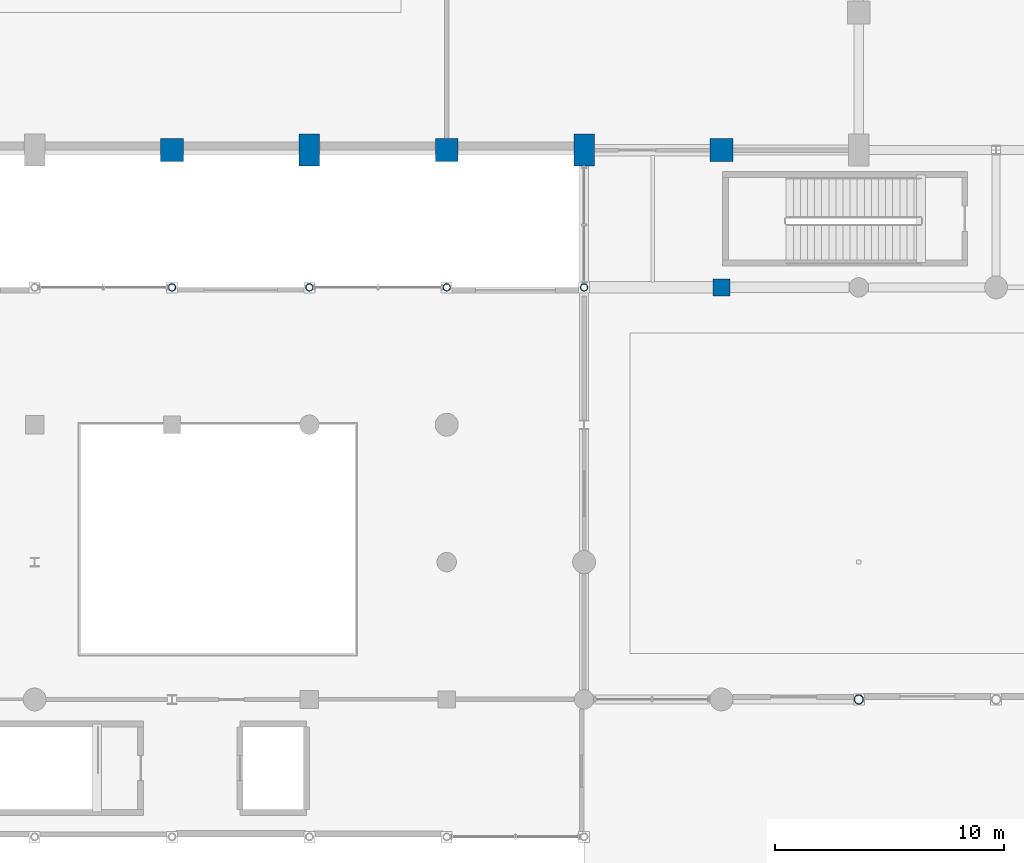
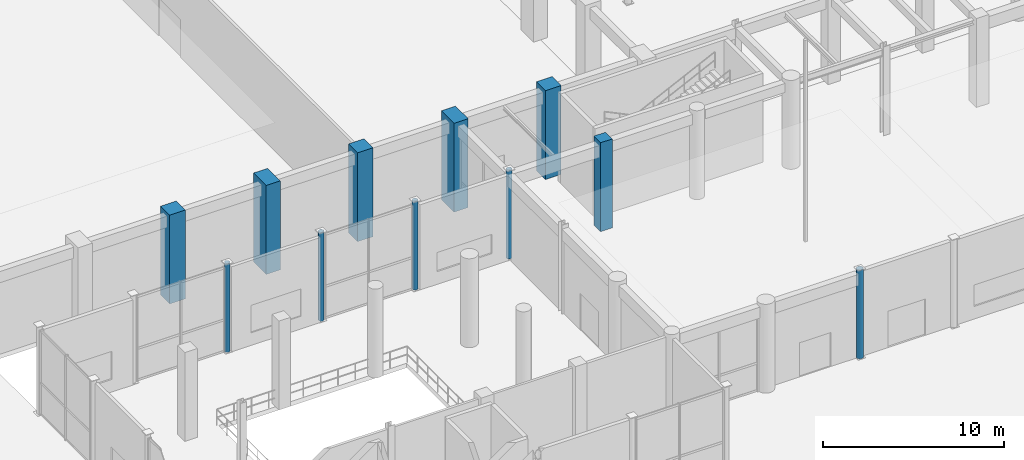
# One storey, part 3 of 106: 11 columns.
"""IFC4 building model written with IfcOpenShell, lengths in metres."""

import ifcopenshell
import ifcopenshell.guid

model = None  # the IFC model being written
_history = None  # IfcOwnerHistory: only IFC2X3 demands one
_inside = {}  # id of a spatial element -> (the spatial element, [elements in it])
_under = {}  # id of a project, library or spatial element -> (it, [spatial elements below it])
_declared = {}  # id of a project -> (the project, [libraries it declares])
_typed = {}  # id of a type object -> (the type object, [elements of that type])
_made_of = {}  # id of a material, layer set ... -> (it, [elements and type objects made of it])


def new_model(schema):
    """Start an empty IFC model of exactly this schema.

    Asked for "IFC4X3", IfcOpenShell would pick the latest addendum, in which some entities
    have other attributes; the version numbers below select the first issue.
    IFC2X3 requires an IfcOwnerHistory on every rooted entity: one is made here for all.
    """
    global model, _history
    if schema == "IFC4X3":
        model = ifcopenshell.file(schema_version=(4, 3, 0, 0))
    else:
        model = ifcopenshell.file(schema=schema)
    _inside.clear()
    _under.clear()
    _declared.clear()
    _typed.clear()
    _made_of.clear()
    _history = None
    if model.schema == "IFC2X3":
        org = make("IfcOrganization", Name="unknown")
        user = make(
            "IfcPersonAndOrganization",
            ThePerson=make("IfcPerson", FamilyName="unknown"),
            TheOrganization=org,
        )
        app = make(
            "IfcApplication",
            ApplicationDeveloper=org,
            Version="unknown",
            ApplicationFullName="unknown",
            ApplicationIdentifier="unknown",
        )
        _history = make(
            "IfcOwnerHistory",
            OwningUser=user,
            OwningApplication=app,
            ChangeAction="ADDED",
            CreationDate=0,
        )
    return model


def make(cls, **values):
    """One entity of the class cls with the attributes given. An attribute that is None is left unset."""
    return model.create_entity(
        cls, **{name: value for name, value in values.items() if value is not None}
    )


def rooted(cls, **values):
    """An entity with a GlobalId (a new one), such as an element, a storey or a relation."""
    return make(cls, GlobalId=ifcopenshell.guid.new(), OwnerHistory=_history, **values)


def si_unit(unit_type, name, prefix=None):
    """IfcSIUnit, for example si_unit("LENGTHUNIT", "METRE", prefix="MILLI")."""
    return make("IfcSIUnit", UnitType=unit_type, Prefix=prefix, Name=name)


def assignment(units):
    """IfcUnitAssignment: the units of a project."""
    return None if units is None else make("IfcUnitAssignment", Units=units)


def point(xyz):
    """IfcCartesianPoint."""
    return None if xyz is None else make("IfcCartesianPoint", Coordinates=xyz)


def direction(xyz):
    """IfcDirection."""
    return None if xyz is None else make("IfcDirection", DirectionRatios=xyz)


def frame(location, z_axis=None, x_axis=None):
    """IfcAxis2Placement3D, a coordinate frame: its origin and axes. An axis left out is left unset."""
    return make(
        "IfcAxis2Placement3D",
        Location=point(location),
        Axis=direction(z_axis),
        RefDirection=direction(x_axis),
    )


def frame_2d(location, x_axis=None):
    """IfcAxis2Placement2D, a coordinate frame in the plane: its origin and x axis."""
    return make(
        "IfcAxis2Placement2D", Location=point(location), RefDirection=direction(x_axis)
    )


def origin():
    """The frame at (0, 0, 0) with its axes left unset."""
    return frame((0.0, 0.0, 0.0))


def origin_2d():
    """The frame at (0, 0) in the plane with its x axis left unset."""
    return frame_2d((0.0, 0.0))


def place(relative_to, where):
    """IfcLocalPlacement: puts the frame where relative to a parent placement (None: the world)."""
    return make(
        "IfcLocalPlacement", PlacementRelTo=relative_to, RelativePlacement=where
    )


def context(
    kind, dimensions, precision=None, world=None, true_north=None, identifier=None
):
    """IfcGeometricRepresentationContext, for example the 3D "Model" context."""
    return make(
        "IfcGeometricRepresentationContext",
        ContextIdentifier=identifier,
        ContextType=kind,
        CoordinateSpaceDimension=dimensions,
        Precision=precision,
        WorldCoordinateSystem=world,
        TrueNorth=true_north,
    )


def subcontext(parent, identifier, kind, view, scale=None):
    """IfcGeometricRepresentationSubContext, for example "Body" below "Model"."""
    return make(
        "IfcGeometricRepresentationSubContext",
        ContextIdentifier=identifier,
        ContextType=kind,
        ParentContext=parent,
        TargetScale=scale,
        TargetView=view,
    )


def project(units=None, contexts=None):
    """IfcProject with its units and contexts."""
    return rooted(
        "IfcProject",
        Name="project",
        RepresentationContexts=contexts,
        UnitsInContext=assignment(units),
    )


def spatial(cls, under=None, at=None, **own):
    """A site, building, storey or space (cls), placed at a placement, below another one or the project."""
    s = rooted(cls, ObjectPlacement=at, **own)
    if under is not None:
        _under.setdefault(under.id(), (under, []))[1].append(s)
    return s


def profile(cls, at=None, kind="AREA", **sizes):
    """A parametric profile (cls). Its sizes go by their IFC names, for example OverallWidth=200.0."""
    return make(cls, ProfileType=kind, Position=at, **sizes)


def rectangle(**sizes):
    """IfcRectangleProfileDef."""
    return profile("IfcRectangleProfileDef", **sizes)


def hollow_circle(**sizes):
    """IfcCircleHollowProfileDef."""
    return profile("IfcCircleHollowProfileDef", **sizes)


def extrude(swept, where, along, depth):
    """IfcExtrudedAreaSolid: the profile swept, set in the frame where, extruded along a direction by depth."""
    return make(
        "IfcExtrudedAreaSolid",
        SweptArea=swept,
        Position=where,
        ExtrudedDirection=direction(along),
        Depth=depth,
    )


def shape(context_of_items, identifier, shape_type, items):
    """IfcShapeRepresentation: the items that make up one representation, for example the "Body"."""
    return make(
        "IfcShapeRepresentation",
        ContextOfItems=context_of_items,
        RepresentationIdentifier=identifier,
        RepresentationType=shape_type,
        Items=items,
    )


def material(Name=None, Category=None):
    """IfcMaterial."""
    return make("IfcMaterial", Name=Name, Category=Category)


def material_profile(
    of_material, cross_section, Name=None, Category=None, Priority=None
):
    """IfcMaterialProfile: a cross section and its material."""
    return make(
        "IfcMaterialProfile",
        Name=Name,
        Material=of_material,
        Profile=cross_section,
        Priority=Priority,
        Category=Category,
    )


def profile_set(profiles, Name=None, composite=None):
    """IfcMaterialProfileSet."""
    return make(
        "IfcMaterialProfileSet",
        Name=Name,
        MaterialProfiles=profiles,
        CompositeProfile=composite,
    )


def made_of(thing, what):
    """Note that an element or type object is made of a material, layer set ...; save() writes the relation."""
    if what is not None:
        _made_of.setdefault(what.id(), (what, []))[1].append(thing)
    return thing


def type_object(cls, material=None, **own):
    """A type object (cls), such as IfcWallType, which elements share."""
    return made_of(rooted(cls, **own), material)


def element(
    cls,
    number,
    at=None,
    inside=None,
    cuts=None,
    type_object=None,
    material=None,
    context=None,
    identifier="Body",
    shape_type=None,
    held_by="IfcProductDefinitionShape",
    body=None,
    shapes=None,
    **own,
):
    """One element of the class cls, such as IfcWall. Its Tag is "e" and its number.

    at: its placement. inside: the storey or other place that contains it. cuts: it is an
    opening in that element (IfcRelVoidsElement). A single representation is given by context,
    identifier, shape_type and body (its items); several are given by shapes. held_by: the class
    of the entity that holds the representations. save() writes the other relations.
    """
    e = rooted(cls, Tag="e%d" % number, ObjectPlacement=at, **own)
    if body is not None:
        shapes = [shape(context, identifier, shape_type, body)]
    if shapes is not None:
        e.Representation = make(held_by, Representations=shapes)
    if inside is not None:
        _inside.setdefault(inside.id(), (inside, []))[1].append(e)
    if cuts is not None:
        rooted(
            "IfcRelVoidsElement", RelatingBuildingElement=cuts, RelatedOpeningElement=e
        )
    if type_object is not None:
        _typed.setdefault(type_object.id(), (type_object, []))[1].append(e)
    return made_of(e, material)


def aggregate(whole, parts):
    """IfcRelAggregates: a whole, such as a stair, and the parts it consists of."""
    return rooted("IfcRelAggregates", RelatingObject=whole, RelatedObjects=parts)


def save(model, path):
    """Write the relations noted so far, then the file.

    IfcRelAggregates (storeys below a building ...), IfcRelContainedInSpatialStructure (elements
    in a storey), IfcRelDefinesByType, IfcRelAssociatesMaterial and IfcRelDeclares: one each for
    every whole, place, type object, material and project.
    """
    for whole, parts in _under.values():
        aggregate(whole, parts)
    for where, things in _inside.values():
        rooted(
            "IfcRelContainedInSpatialStructure",
            RelatedElements=things,
            RelatingStructure=where,
        )
    for kind, things in _typed.values():
        rooted("IfcRelDefinesByType", RelatedObjects=things, RelatingType=kind)
    for what, things in _made_of.values():
        rooted("IfcRelAssociatesMaterial", RelatedObjects=things, RelatingMaterial=what)
    for by, libraries in _declared.values():
        rooted("IfcRelDeclares", RelatingContext=by, RelatedDefinitions=libraries)
    model.write(path)


model = new_model("IFC4")

# Units and contexts
model_context = context("Model", 3, precision=1e-05, world=origin(), true_north=direction((0.0, 1.0)))
body_context = subcontext(model_context, "Body", "Model", "MODEL_VIEW")
ifc_project = project(units=[si_unit("LENGTHUNIT", "METRE"), si_unit("AREAUNIT", "SQUARE_METRE"), si_unit("VOLUMEUNIT", "CUBIC_METRE"), si_unit("PLANEANGLEUNIT", "RADIAN"), si_unit("MASSUNIT", "GRAM", prefix="KILO"), si_unit("THERMODYNAMICTEMPERATUREUNIT", "KELVIN"), si_unit("POWERUNIT", "WATT")], contexts=[model_context])

# Site, building, storey
site_placement = place(None, origin())
site = spatial("IfcSite", under=ifc_project, at=site_placement, CompositionType="ELEMENT")
building_placement = place(site_placement, origin())
building = spatial("IfcBuilding", under=site, at=building_placement, Name="Phaisarnlok Congress Hotel", CompositionType="ELEMENT")
storey_placement = place(building_placement, origin())
storey = spatial("IfcBuildingStorey", under=building, at=storey_placement, Name="L00", CompositionType="ELEMENT", Elevation=0.0)

# Columns
ifc_material_1 = material(Name="Concrete C50/60", Category="concrete")
ifc_material_profile_1 = material_profile(ifc_material_1, rectangle(XDim=1.0, YDim=1.0, at=origin_2d()), Name="RC 1000x1000")
ifc_profile_set_1 = profile_set([ifc_material_profile_1], Name="Concrete C50/60")
column_type_1 = type_object("IfcColumnType", Name="COL-RC-1000", PredefinedType="COLUMN", material=ifc_profile_set_1)
for number, where, z_axis, x_axis, name in (
    (1, (36.0, 42.0, 0.0), (0.0, 0.0, 1.0), (1.0, 0.0, 0.0), "Column C-09 (L00)"),
    (2, (48.0, 42.0, 0.0), (0.0, 0.0, 1.0), (1.0, 0.0, 0.0), "Column C-09 (L00)"),
    (3, (60.0, 42.0, 0.0), (0.0, 0.0, 1.0), (1.0, 0.0, 0.0), "Column C-09 (L00)"),
):
    element("IfcColumn", number, at=place(storey_placement, frame(where, z_axis=z_axis, x_axis=x_axis)), inside=storey, type_object=column_type_1, Name=name, PredefinedType="COLUMN", context=body_context, shape_type="SweptSolid", body=[
        extrude(rectangle(XDim=1.0, YDim=1.0, at=origin_2d()), origin(), (0.0, 0.0, 1.0), 6.0),
    ])
ifc_material_profile_2 = material_profile(ifc_material_1, rectangle(XDim=0.75, YDim=0.75, at=origin_2d()), Name="RC 750x750")
ifc_profile_set_2 = profile_set([ifc_material_profile_2], Name="Concrete C50/60")
column_type_2 = type_object("IfcColumnType", Name="COL-RC-750", PredefinedType="COLUMN", material=ifc_profile_set_2)
column_1_placement = place(storey_placement, frame((60.0, 36.0, 0.0), z_axis=(0.0, 0.0, 1.0), x_axis=(1.0, 0.0, 0.0)))
element("IfcColumn", 4, at=column_1_placement, inside=storey, type_object=column_type_2, Name="Column C-06 (L00)", PredefinedType="COLUMN", context=body_context, shape_type="SweptSolid", body=[
    extrude(rectangle(XDim=0.75, YDim=0.75, at=origin_2d()), origin(), (0.0, 0.0, 1.0), 6.0),
])
ifc_material_profile_3 = material_profile(ifc_material_1, rectangle(XDim=0.89990234375, YDim=1.39990234375, at=origin_2d()), Name="RC 900x1400")
ifc_profile_set_3 = profile_set([ifc_material_profile_3], Name="Concrete C50/60")
column_type_3 = type_object("IfcColumnType", Name="COL-RC-900x1400", PredefinedType="COLUMN", material=ifc_profile_set_3)
for number, where, z_axis, x_axis, name in (
    (5, (42.0, 42.0, 0.0), (0.0, 0.0, 1.0), (1.0, 0.0, 0.0), "Column C-12 (L00)"),
    (6, (54.0, 42.0, 0.0), (0.0, 0.0, 1.0), (1.0, 0.0, 0.0), "Column C-12 (L00)"),
):
    element("IfcColumn", number, at=place(storey_placement, frame(where, z_axis=z_axis, x_axis=x_axis)), inside=storey, type_object=column_type_3, Name=name, PredefinedType="COLUMN", context=body_context, shape_type="SweptSolid", body=[
        extrude(rectangle(XDim=0.89990234375, YDim=1.39990234375, at=origin_2d()), origin(), (0.0, 0.0, 1.0), 6.0),
    ])
ifc_material_2 = material(Name="Steel S355", Category="steel")
ifc_material_profile_4 = material_profile(ifc_material_2, hollow_circle(Radius=0.161865234375, WallThickness=0.01611328125, at=origin_2d()), Name="CHS 323.9x16")
ifc_profile_set_4 = profile_set([ifc_material_profile_4], Name="Steel S355")
column_type_4 = type_object("IfcColumnType", Name="COL-STL-CHS324", PredefinedType="COLUMN", material=ifc_profile_set_4)
for number, where, z_axis, x_axis, name in (
    (7, (36.0, 36.0, 0.0), (0.0, 0.0, 1.0), (1.0, 0.0, 0.0), "Column SC-01 (L00)"),
    (8, (42.0, 36.0, 0.0), (0.0, 0.0, 1.0), (1.0, 0.0, 0.0), "Column SC-01 (L00)"),
    (9, (48.0, 36.0, 0.0), (0.0, 0.0, 1.0), (1.0, 0.0, 0.0), "Column SC-01 (L00)"),
    (10, (54.0, 36.0, 0.0), (0.0, 0.0, 1.0), (1.0, 0.0, 0.0), "Column SC-01 (L00)"),
):
    element("IfcColumn", number, at=place(storey_placement, frame(where, z_axis=z_axis, x_axis=x_axis)), inside=storey, type_object=column_type_4, Name=name, PredefinedType="COLUMN", context=body_context, shape_type="SweptSolid", body=[
        extrude(hollow_circle(Radius=0.161865234375, WallThickness=0.01611328125, at=origin_2d()), origin(), (0.0, 0.0, 1.0), 6.0),
    ])
ifc_material_profile_5 = material_profile(ifc_material_2, hollow_circle(Radius=0.203125, WallThickness=0.02001953125, at=origin_2d()), Name="CHS 406.4x20")
ifc_profile_set_5 = profile_set([ifc_material_profile_5], Name="Steel S355")
column_type_5 = type_object("IfcColumnType", Name="COL-STL-CHS406-EXT", PredefinedType="COLUMN", material=ifc_profile_set_5)
column_2_placement = place(storey_placement, frame((66.0, 18.0, 0.0), z_axis=(0.0, 0.0, 1.0), x_axis=(1.0, 0.0, 0.0)))
element("IfcColumn", 11, at=column_2_placement, inside=storey, type_object=column_type_5, Name="Column SC-02E (L00)", PredefinedType="COLUMN", context=body_context, shape_type="SweptSolid", body=[
    extrude(hollow_circle(Radius=0.203125, WallThickness=0.02001953125, at=origin_2d()), origin(), (0.0, 0.0, 1.0), 6.0),
])

save(model, "model.ifc")
